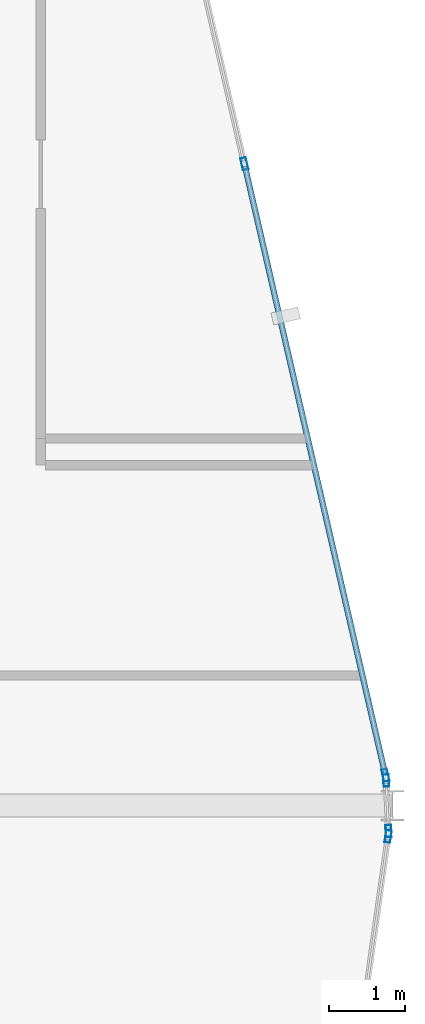
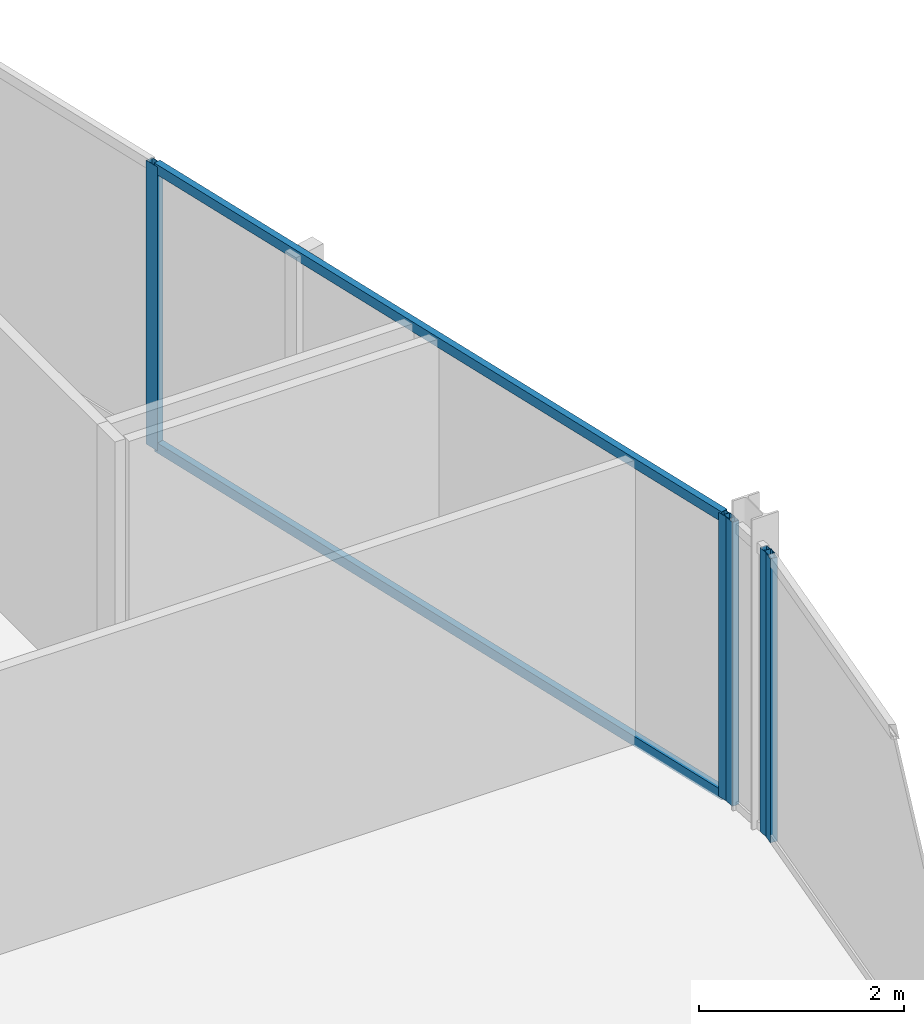
# One storey, part 14 of 28: 7 members, 3 elements without a shape of their own.
"""IFC4 building model written with IfcOpenShell, lengths in metres."""

from ifc_helpers import new_model, si_unit, direction, frame, origin, origin_2d, place, context, subcontext, project, spatial, hollow_rectangle, extrude, material, layer, layer_set, material_profile, profile_set, type_object, element, aggregate, save


model = new_model("IFC4")

# Units and contexts
model_context = context("Model", 3, precision=1e-05, world=origin(), true_north=direction((0.0, 1.0)))
body_context = subcontext(model_context, "Body", "Model", "MODEL_VIEW")
ifc_project = project(units=[si_unit("LENGTHUNIT", "METRE"), si_unit("AREAUNIT", "SQUARE_METRE"), si_unit("VOLUMEUNIT", "CUBIC_METRE"), si_unit("PLANEANGLEUNIT", "RADIAN"), si_unit("MASSUNIT", "GRAM", prefix="KILO")], contexts=[model_context])

# Site, building, storey
site_placement = place(None, origin())
site = spatial("IfcSite", under=ifc_project, at=site_placement, CompositionType="ELEMENT")
building_placement = place(site_placement, origin())
building = spatial("IfcBuilding", under=site, at=building_placement, Name="Keshet Zoharim Tower", CompositionType="ELEMENT")
storey_placement = place(building_placement, frame((0.0, 0.0, 258.39990234375)))
storey = spatial("IfcBuildingStorey", under=building, at=storey_placement, Name="L64", CompositionType="ELEMENT", Elevation=258.39990234375)

# Curtain wall, members
ifc_material = material(Name="Aluminium 6063-T6", Category="aluminium")
ifc_layer = layer(ifc_material, 0.260009765625)
ifc_layer_set = layer_set([ifc_layer], Name="Aluminium 6063-T6")
curtain_wall_type = type_object("IfcCurtainWallType", Name="CW-SYS-06", PredefinedType="NOTDEFINED", material=ifc_layer_set)
curtain_wall_1_placement = place(storey_placement, origin())
curtain_wall_1 = element("IfcCurtainWall", 1, at=curtain_wall_1_placement, inside=storey, type_object=curtain_wall_type, Name="L64 Unitised Curtain Wall 09", PredefinedType="NOTDEFINED")
ifc_material_profile_1 = material_profile(ifc_material, hollow_rectangle(XDim=0.074951171875, YDim=0.159912109375, WallThickness=0.00390625, at=origin_2d()), Name="MUL-75x160")
ifc_profile_set_1 = profile_set([ifc_material_profile_1], Name="Aluminium 6063-T6")
member_type_1 = type_object("IfcMemberType", Name="CWM-M15", PredefinedType="MULLION", material=ifc_profile_set_1)
member_1_placement = place(storey_placement, frame((43.063232421875, 36.291259765625, 0.0), z_axis=(0.0, 0.0, 1.0), x_axis=(0.974398012932, 0.224829963294, 0.0)))
member_1 = element("IfcMember", 2, at=member_1_placement, type_object=member_type_1, Name="CW-06 mullion 3", PredefinedType="MULLION", context=body_context, shape_type="SweptSolid", body=[
    extrude(hollow_rectangle(XDim=0.074951171875, YDim=0.159912109375, WallThickness=0.00390625, at=origin_2d()), origin(), (0.0, 0.0, 1.0), 3.39013671875),
])
member_2_placement = place(storey_placement, frame((44.908203125, 28.296142578125, 0.0), z_axis=(0.0, 0.0, 1.0), x_axis=(0.974398012932, 0.224829963294, 0.0)))
member_2 = element("IfcMember", 3, at=member_2_placement, type_object=member_type_1, Name="CW-06 mullion 4", PredefinedType="MULLION", context=body_context, shape_type="SweptSolid", body=[
    extrude(hollow_rectangle(XDim=0.074951171875, YDim=0.159912109375, WallThickness=0.00390625, at=origin_2d()), origin(), (0.0, 0.0, 1.0), 3.39013671875),
])

curtain_wall_2_placement = place(storey_placement, origin())
curtain_wall_2 = element("IfcCurtainWall", 4, at=curtain_wall_2_placement, inside=storey, type_object=curtain_wall_type, Name="L64 Unitised Curtain Wall 10", PredefinedType="NOTDEFINED")
member_3_placement = place(storey_placement, frame((44.91748046875, 28.22705078125, 0.0), z_axis=(0.0, 0.0, 1.0), x_axis=(0.999040601801, 0.043793560626, 0.0)))
member_3 = element("IfcMember", 5, at=member_3_placement, type_object=member_type_1, Name="CW-06 mullion 1", PredefinedType="MULLION", context=body_context, shape_type="SweptSolid", body=[
    extrude(hollow_rectangle(XDim=0.074951171875, YDim=0.159912109375, WallThickness=0.00390625, at=origin_2d()), origin(), (0.0, 0.0, 1.0), 3.39013671875),
])
member_4_placement = place(storey_placement, frame((44.946533203125, 27.56689453125, 0.0), z_axis=(0.0, 0.0, 1.0), x_axis=(0.999040601801, 0.043793560626, 0.0)))
member_4 = element("IfcMember", 6, at=member_4_placement, type_object=member_type_1, Name="CW-06 mullion 2", PredefinedType="MULLION", context=body_context, shape_type="SweptSolid", body=[
    extrude(hollow_rectangle(XDim=0.074951171875, YDim=0.159912109375, WallThickness=0.00390625, at=origin_2d()), origin(), (0.0, 0.0, 1.0), 3.39013671875),
])
aggregate(curtain_wall_2, [member_3, member_4])

# Curtain wall, member
curtain_wall_3_placement = place(storey_placement, origin())
curtain_wall_3 = element("IfcCurtainWall", 7, at=curtain_wall_3_placement, inside=storey, type_object=curtain_wall_type, Name="L64 Unitised Curtain Wall 11", PredefinedType="NOTDEFINED")
member_5_placement = place(storey_placement, frame((44.943115234375, 27.497314453125, 0.0), z_axis=(0.0, 0.0, 1.0), x_axis=(0.990132057422, -0.140137464177, 0.0)))
member_5 = element("IfcMember", 8, at=member_5_placement, type_object=member_type_1, Name="CW-06 mullion 1", PredefinedType="MULLION", context=body_context, shape_type="SweptSolid", body=[
    extrude(hollow_rectangle(XDim=0.074951171875, YDim=0.159912109375, WallThickness=0.00390625, at=origin_2d()), origin(), (0.0, 0.0, 1.0), 3.39013671875),
])
aggregate(curtain_wall_3, [member_5])

# Member
ifc_material_profile_2 = material_profile(ifc_material, hollow_rectangle(XDim=0.074951171875, YDim=0.1201171875, WallThickness=0.00390625, at=origin_2d()), Name="TRN-75x120")
ifc_profile_set_2 = profile_set([ifc_material_profile_2], Name="Aluminium 6063-T6")
member_type_2 = type_object("IfcMemberType", Name="CWT-T12", PredefinedType="USERDEFINED", material=ifc_profile_set_2)
member_6_placement = place(storey_placement, frame((43.0712890625, 36.25732421875, 0.03515625), z_axis=(0.224806904107, -0.974403333259, 0.0), x_axis=(0.974403333259, 0.224806904107, 0.0)))
member_6 = element("IfcMember", 9, at=member_6_placement, type_object=member_type_2, Name="CW-06 transom 3.1", ObjectType="TRANSOM", PredefinedType="USERDEFINED", context=body_context, shape_type="SweptSolid", body=[
    extrude(hollow_rectangle(XDim=0.074951171875, YDim=0.1201171875, WallThickness=0.00390625, at=origin_2d()), origin(), (0.0, 0.0, 1.0), 8.13525390625),
])

member_7_placement = place(storey_placement, frame((43.0712890625, 36.25732421875, 3.35498046875), z_axis=(0.224806904107, -0.974403333259, 0.0), x_axis=(0.974403333259, 0.224806904107, 0.0)))
member_7 = element("IfcMember", 10, at=member_7_placement, type_object=member_type_2, Name="CW-06 transom 3.2", ObjectType="TRANSOM", PredefinedType="USERDEFINED", context=body_context, shape_type="SweptSolid", body=[
    extrude(hollow_rectangle(XDim=0.074951171875, YDim=0.1201171875, WallThickness=0.00390625, at=origin_2d()), origin(), (0.0, 0.0, 1.0), 8.13525390625),
])

aggregate(curtain_wall_1, [member_1, member_2, member_6, member_7])

save(model, "model.ifc")
